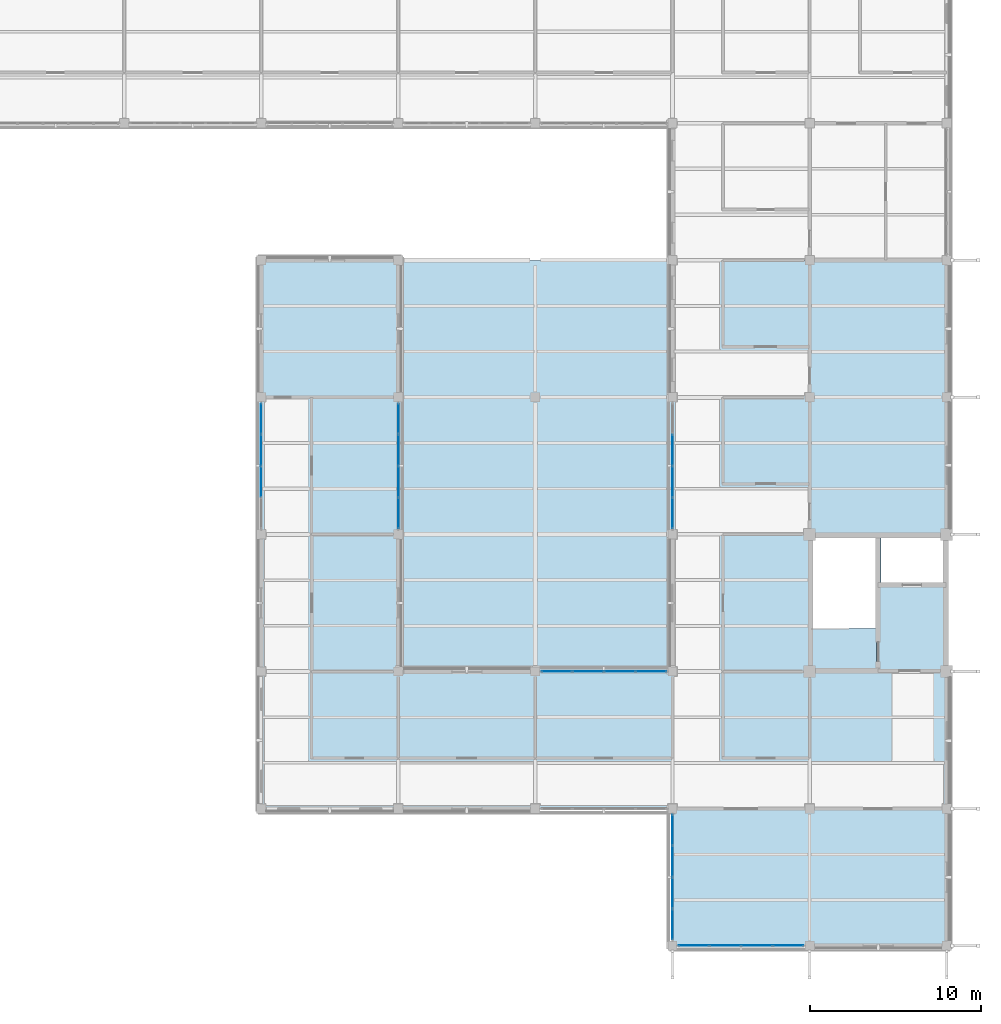
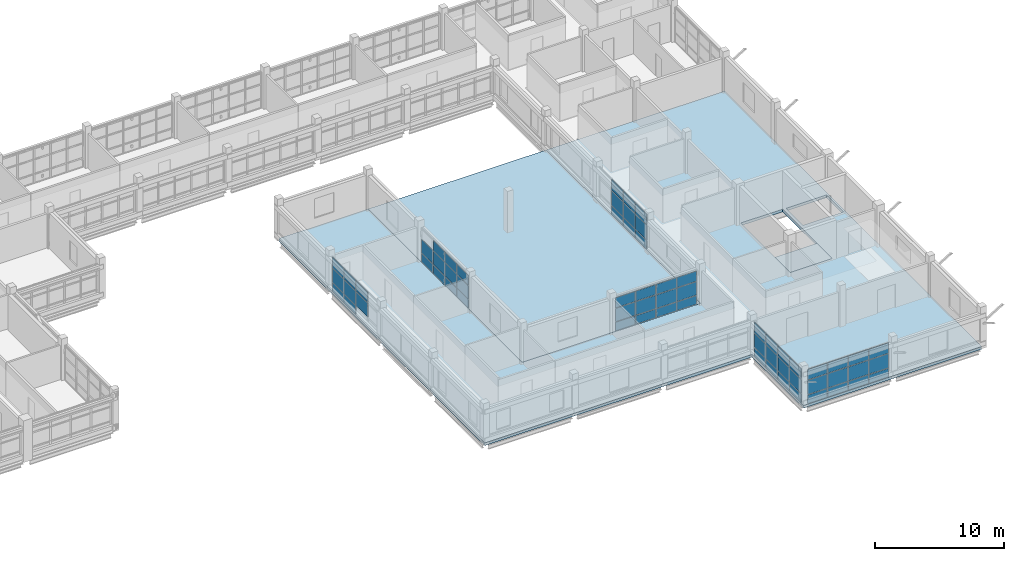
# One storey, part 65 of 107: 64 plates, 3 slabs, 6 elements without a shape of their own.
"""IFC4 building model written with IfcOpenShell, lengths in metres."""

from ifc_helpers import new_model, si_unit, derived_unit, direction, frame, origin, origin_2d, place, context, subcontext, project, spatial, polyline, rectangle, outline, extrude, material, layer, layer_set, type_object, element, aggregate, save


model = new_model("IFC4")

# Units and contexts
model_context = context("Model", 3, precision=1e-05, world=origin(), true_north=direction((0.0, 1.0)))
body_context = subcontext(model_context, "Body", "Model", "MODEL_VIEW")
ifc_project = project(units=[si_unit("LENGTHUNIT", "METRE"), si_unit("AREAUNIT", "SQUARE_METRE"), si_unit("VOLUMEUNIT", "CUBIC_METRE"), si_unit("PLANEANGLEUNIT", "RADIAN"), si_unit("MASSUNIT", "GRAM", prefix="KILO"), derived_unit("THERMALTRANSMITTANCEUNIT", [(si_unit("MASSUNIT", "GRAM", prefix="KILO"), 1), (si_unit("TIMEUNIT", "SECOND"), -3), (si_unit("THERMODYNAMICTEMPERATUREUNIT", "KELVIN"), -1)])], contexts=[model_context])

# Site, building, storey
site_placement = place(None, origin())
site = spatial("IfcSite", under=ifc_project, at=site_placement, CompositionType="ELEMENT")
building_placement = place(site_placement, origin())
building = spatial("IfcBuilding", under=site, at=building_placement, Name="Veyamyaing Civic Hall", CompositionType="ELEMENT")
storey_placement = place(building_placement, frame((0.0, 0.0, 13.860107421875)))
storey = spatial("IfcBuildingStorey", under=building, at=storey_placement, Name="L03", CompositionType="ELEMENT", Elevation=13.860107421875)

# Curtain wall, plates
ifc_material_1 = material(Name="Anodised aluminium 6063-T6", Category="aluminium")
ifc_layer_1 = layer(ifc_material_1, 0.159912109375, Name="Anodised aluminium 6063-T6")
ifc_layer_set_1 = layer_set([ifc_layer_1], Name="Anodised aluminium 6063-T6")
curtain_wall_type = type_object("IfcCurtainWallType", Name="CW-07", PredefinedType="NOTDEFINED", material=ifc_layer_set_1)
curtain_wall_1_placement = place(storey_placement, origin())
curtain_wall_1 = element("IfcCurtainWall", 1, at=curtain_wall_1_placement, inside=storey, type_object=curtain_wall_type, Name="Unitized curtain wall CW-07 L03 W 18.4", PredefinedType="NOTDEFINED")
ifc_material_2 = material(Name="Low-E insulated glass", Category="glass")
ifc_layer_2 = layer(ifc_material_2, 0.028076171875, Name="Low-E insulated glass")
ifc_layer_set_2 = layer_set([ifc_layer_2], Name="Low-E insulated glass")
plate_type_1 = type_object("IfcPlateType", Name="CWP-01", PredefinedType="CURTAIN_PANEL", material=ifc_layer_set_2)
plate_1_placement = place(storey_placement, frame((136.0, 27.076171875, 0.932373046875), z_axis=(0.0, 0.0, 1.0), x_axis=(0.0, 1.0, 0.0)))
plate_1 = element("IfcPlate", 2, at=plate_1_placement, type_object=plate_type_1, Name="CW-07 panel 2.2", PredefinedType="CURTAIN_PANEL", context=body_context, shape_type="SweptSolid", body=[
    extrude(rectangle(XDim=1.782470703125, YDim=0.028076171875, at=origin_2d()), origin(), (0.0, 0.0, 1.0), 1.3212890625),
])
plate_2_placement = place(storey_placement, frame((136.0, 27.076171875, 2.31884765625), z_axis=(0.0, 0.0, 1.0), x_axis=(0.0, 1.0, 0.0)))
plate_2 = element("IfcPlate", 3, at=plate_2_placement, type_object=plate_type_1, Name="CW-07 panel 2.3", PredefinedType="CURTAIN_PANEL", context=body_context, shape_type="SweptSolid", body=[
    extrude(rectangle(XDim=1.782470703125, YDim=0.028076171875, at=origin_2d()), origin(), (0.0, 0.0, 1.0), 0.978271484375),
])
plate_3_placement = place(storey_placement, frame((136.0, 28.923828125, 0.06494140625), z_axis=(0.0, 0.0, 1.0), x_axis=(0.0, 1.0, 0.0)))
plate_3 = element("IfcPlate", 4, at=plate_3_placement, type_object=plate_type_1, Name="CW-07 panel 3.1", PredefinedType="CURTAIN_PANEL", context=body_context, shape_type="SweptSolid", body=[
    extrude(rectangle(XDim=1.782470703125, YDim=0.028076171875, at=origin_2d()), origin(), (0.0, 0.0, 1.0), 0.802490234375),
])
plate_4_placement = place(storey_placement, frame((136.0, 28.923828125, 0.932373046875), z_axis=(0.0, 0.0, 1.0), x_axis=(0.0, 1.0, 0.0)))
plate_4 = element("IfcPlate", 5, at=plate_4_placement, type_object=plate_type_1, Name="CW-07 panel 3.2", PredefinedType="CURTAIN_PANEL", context=body_context, shape_type="SweptSolid", body=[
    extrude(rectangle(XDim=1.782470703125, YDim=0.028076171875, at=origin_2d()), origin(), (0.0, 0.0, 1.0), 1.3212890625),
])
plate_5_placement = place(storey_placement, frame((136.0, 28.923828125, 2.31884765625), z_axis=(0.0, 0.0, 1.0), x_axis=(0.0, 1.0, 0.0)))
plate_5 = element("IfcPlate", 6, at=plate_5_placement, type_object=plate_type_1, Name="CW-07 panel 3.3", PredefinedType="CURTAIN_PANEL", context=body_context, shape_type="SweptSolid", body=[
    extrude(rectangle(XDim=1.782470703125, YDim=0.028076171875, at=origin_2d()), origin(), (0.0, 0.0, 1.0), 0.978271484375),
])
plate_6_placement = place(storey_placement, frame((136.0, 30.7548828125, 0.06494140625), z_axis=(0.0, 0.0, 1.0), x_axis=(0.0, 1.0, 0.0)))
plate_6 = element("IfcPlate", 7, at=plate_6_placement, type_object=plate_type_1, Name="CW-07 panel 4.1", PredefinedType="CURTAIN_PANEL", context=body_context, shape_type="SweptSolid", body=[
    extrude(rectangle(XDim=1.75, YDim=0.028076171875, at=origin_2d()), origin(), (0.0, 0.0, 1.0), 0.802490234375),
])
plate_7_placement = place(storey_placement, frame((136.0, 30.7548828125, 0.932373046875), z_axis=(0.0, 0.0, 1.0), x_axis=(0.0, 1.0, 0.0)))
plate_7 = element("IfcPlate", 8, at=plate_7_placement, type_object=plate_type_1, Name="CW-07 panel 4.2", PredefinedType="CURTAIN_PANEL", context=body_context, shape_type="SweptSolid", body=[
    extrude(rectangle(XDim=1.75, YDim=0.028076171875, at=origin_2d()), origin(), (0.0, 0.0, 1.0), 1.3212890625),
])
plate_8_placement = place(storey_placement, frame((136.0, 30.7548828125, 2.31884765625), z_axis=(0.0, 0.0, 1.0), x_axis=(0.0, 1.0, 0.0)))
plate_8 = element("IfcPlate", 9, at=plate_8_placement, type_object=plate_type_1, Name="CW-07 panel 4.3", PredefinedType="CURTAIN_PANEL", context=body_context, shape_type="SweptSolid", body=[
    extrude(rectangle(XDim=1.75, YDim=0.028076171875, at=origin_2d()), origin(), (0.0, 0.0, 1.0), 0.978271484375),
])
aggregate(curtain_wall_1, [plate_1, plate_2, plate_3, plate_4, plate_5, plate_6, plate_7, plate_8])

curtain_wall_2_placement = place(storey_placement, origin())
curtain_wall_2 = element("IfcCurtainWall", 10, at=curtain_wall_2_placement, inside=storey, type_object=curtain_wall_type, Name="Unitized curtain wall CW-07 L03 E 18.4", PredefinedType="NOTDEFINED")
plate_9_placement = place(storey_placement, frame((144.0, 25.2451171875, 0.06494140625), z_axis=(0.0, 0.0, 1.0), x_axis=(0.0, 1.0, 0.0)))
plate_9 = element("IfcPlate", 11, at=plate_9_placement, type_object=plate_type_1, Name="CW-07 panel 1.1", PredefinedType="CURTAIN_PANEL", context=body_context, shape_type="SweptSolid", body=[
    extrude(rectangle(XDim=1.75, YDim=0.028076171875, at=origin_2d()), origin(), (0.0, 0.0, 1.0), 0.802490234375),
])
plate_10_placement = place(storey_placement, frame((144.0, 25.2451171875, 0.93212890625), z_axis=(0.0, 0.0, 1.0), x_axis=(0.0, 1.0, 0.0)))
plate_10 = element("IfcPlate", 12, at=plate_10_placement, type_object=plate_type_1, Name="CW-07 panel 1.2", PredefinedType="CURTAIN_PANEL", context=body_context, shape_type="SweptSolid", body=[
    extrude(rectangle(XDim=1.75, YDim=0.028076171875, at=origin_2d()), origin(), (0.0, 0.0, 1.0), 1.244384765625),
])
plate_11_placement = place(storey_placement, frame((144.0, 25.2451171875, 2.24169921875), z_axis=(0.0, 0.0, 1.0), x_axis=(0.0, 1.0, 0.0)))
plate_11 = element("IfcPlate", 13, at=plate_11_placement, type_object=plate_type_1, Name="CW-07 panel 1.3", PredefinedType="CURTAIN_PANEL", context=body_context, shape_type="SweptSolid", body=[
    extrude(rectangle(XDim=1.75, YDim=0.028076171875, at=origin_2d()), origin(), (0.0, 0.0, 1.0), 0.942138671875),
])
plate_12_placement = place(storey_placement, frame((144.0, 27.076171875, 0.06494140625), z_axis=(0.0, 0.0, 1.0), x_axis=(0.0, 1.0, 0.0)))
plate_12 = element("IfcPlate", 14, at=plate_12_placement, type_object=plate_type_1, Name="CW-07 panel 2.1", PredefinedType="CURTAIN_PANEL", context=body_context, shape_type="SweptSolid", body=[
    extrude(rectangle(XDim=1.782470703125, YDim=0.028076171875, at=origin_2d()), origin(), (0.0, 0.0, 1.0), 0.802490234375),
])
plate_13_placement = place(storey_placement, frame((144.0, 27.076171875, 0.93212890625), z_axis=(0.0, 0.0, 1.0), x_axis=(0.0, 1.0, 0.0)))
plate_13 = element("IfcPlate", 15, at=plate_13_placement, type_object=plate_type_1, Name="CW-07 panel 2.2", PredefinedType="CURTAIN_PANEL", context=body_context, shape_type="SweptSolid", body=[
    extrude(rectangle(XDim=1.782470703125, YDim=0.028076171875, at=origin_2d()), origin(), (0.0, 0.0, 1.0), 1.244384765625),
])
plate_14_placement = place(storey_placement, frame((144.0, 27.076171875, 2.24169921875), z_axis=(0.0, 0.0, 1.0), x_axis=(0.0, 1.0, 0.0)))
plate_14 = element("IfcPlate", 16, at=plate_14_placement, type_object=plate_type_1, Name="CW-07 panel 2.3", PredefinedType="CURTAIN_PANEL", context=body_context, shape_type="SweptSolid", body=[
    extrude(rectangle(XDim=1.782470703125, YDim=0.028076171875, at=origin_2d()), origin(), (0.0, 0.0, 1.0), 0.942138671875),
])
plate_15_placement = place(storey_placement, frame((144.0, 28.923828125, 0.06494140625), z_axis=(0.0, 0.0, 1.0), x_axis=(0.0, 1.0, 0.0)))
plate_15 = element("IfcPlate", 17, at=plate_15_placement, type_object=plate_type_1, Name="CW-07 panel 3.1", PredefinedType="CURTAIN_PANEL", context=body_context, shape_type="SweptSolid", body=[
    extrude(rectangle(XDim=1.782470703125, YDim=0.028076171875, at=origin_2d()), origin(), (0.0, 0.0, 1.0), 0.802490234375),
])
plate_16_placement = place(storey_placement, frame((144.0, 28.923828125, 0.93212890625), z_axis=(0.0, 0.0, 1.0), x_axis=(0.0, 1.0, 0.0)))
plate_16 = element("IfcPlate", 18, at=plate_16_placement, type_object=plate_type_1, Name="CW-07 panel 3.2", PredefinedType="CURTAIN_PANEL", context=body_context, shape_type="SweptSolid", body=[
    extrude(rectangle(XDim=1.782470703125, YDim=0.028076171875, at=origin_2d()), origin(), (0.0, 0.0, 1.0), 1.244384765625),
])
plate_17_placement = place(storey_placement, frame((144.0, 28.923828125, 2.24169921875), z_axis=(0.0, 0.0, 1.0), x_axis=(0.0, 1.0, 0.0)))
plate_17 = element("IfcPlate", 19, at=plate_17_placement, type_object=plate_type_1, Name="CW-07 panel 3.3", PredefinedType="CURTAIN_PANEL", context=body_context, shape_type="SweptSolid", body=[
    extrude(rectangle(XDim=1.782470703125, YDim=0.028076171875, at=origin_2d()), origin(), (0.0, 0.0, 1.0), 0.942138671875),
])
plate_18_placement = place(storey_placement, frame((144.0, 30.7548828125, 0.06494140625), z_axis=(0.0, 0.0, 1.0), x_axis=(0.0, 1.0, 0.0)))
plate_18 = element("IfcPlate", 20, at=plate_18_placement, type_object=plate_type_1, Name="CW-07 panel 4.1", PredefinedType="CURTAIN_PANEL", context=body_context, shape_type="SweptSolid", body=[
    extrude(rectangle(XDim=1.75, YDim=0.028076171875, at=origin_2d()), origin(), (0.0, 0.0, 1.0), 0.802490234375),
])
plate_19_placement = place(storey_placement, frame((144.0, 30.7548828125, 0.93212890625), z_axis=(0.0, 0.0, 1.0), x_axis=(0.0, 1.0, 0.0)))
plate_19 = element("IfcPlate", 21, at=plate_19_placement, type_object=plate_type_1, Name="CW-07 panel 4.2", PredefinedType="CURTAIN_PANEL", context=body_context, shape_type="SweptSolid", body=[
    extrude(rectangle(XDim=1.75, YDim=0.028076171875, at=origin_2d()), origin(), (0.0, 0.0, 1.0), 1.244384765625),
])
aggregate(curtain_wall_2, [plate_9, plate_10, plate_11, plate_12, plate_13, plate_14, plate_15, plate_16, plate_17, plate_18, plate_19])

curtain_wall_3_placement = place(storey_placement, origin())
curtain_wall_3 = element("IfcCurtainWall", 22, at=curtain_wall_3_placement, inside=storey, type_object=curtain_wall_type, Name="Unitized curtain wall CW-07 L03 N 20.2", PredefinedType="NOTDEFINED")
plate_20_placement = place(storey_placement, frame((153.2451171875, 16.0, 0.06494140625), z_axis=(0.0, 0.0, 1.0), x_axis=(1.0, 0.0, 0.0)))
plate_20 = element("IfcPlate", 23, at=plate_20_placement, type_object=plate_type_1, Name="CW-07 panel 1.1", PredefinedType="CURTAIN_PANEL", context=body_context, shape_type="SweptSolid", body=[
    extrude(rectangle(XDim=1.75, YDim=0.028076171875, at=origin_2d()), origin(), (0.0, 0.0, 1.0), 0.802490234375),
])
plate_21_placement = place(storey_placement, frame((153.2451171875, 16.0, 0.9326171875), z_axis=(0.0, 0.0, 1.0), x_axis=(1.0, 0.0, 0.0)))
plate_21 = element("IfcPlate", 24, at=plate_21_placement, type_object=plate_type_1, Name="CW-07 panel 1.2", PredefinedType="CURTAIN_PANEL", context=body_context, shape_type="SweptSolid", body=[
    extrude(rectangle(XDim=1.75, YDim=0.028076171875, at=origin_2d()), origin(), (0.0, 0.0, 1.0), 1.251708984375),
])
plate_22_placement = place(storey_placement, frame((153.2451171875, 16.0, 2.2490234375), z_axis=(0.0, 0.0, 1.0), x_axis=(1.0, 0.0, 0.0)))
plate_22 = element("IfcPlate", 25, at=plate_22_placement, type_object=plate_type_1, Name="CW-07 panel 1.3", PredefinedType="CURTAIN_PANEL", context=body_context, shape_type="SweptSolid", body=[
    extrude(rectangle(XDim=1.75, YDim=0.028076171875, at=origin_2d()), origin(), (0.0, 0.0, 1.0), 0.94580078125),
])
plate_23_placement = place(storey_placement, frame((155.076171875, 16.0, 0.06494140625), z_axis=(0.0, 0.0, 1.0), x_axis=(1.0, 0.0, 0.0)))
plate_23 = element("IfcPlate", 26, at=plate_23_placement, type_object=plate_type_1, Name="CW-07 panel 2.1", PredefinedType="CURTAIN_PANEL", context=body_context, shape_type="SweptSolid", body=[
    extrude(rectangle(XDim=1.782470703125, YDim=0.028076171875, at=origin_2d()), origin(), (0.0, 0.0, 1.0), 0.802490234375),
])
plate_24_placement = place(storey_placement, frame((155.076171875, 16.0, 0.9326171875), z_axis=(0.0, 0.0, 1.0), x_axis=(1.0, 0.0, 0.0)))
plate_24 = element("IfcPlate", 27, at=plate_24_placement, type_object=plate_type_1, Name="CW-07 panel 2.2", PredefinedType="CURTAIN_PANEL", context=body_context, shape_type="SweptSolid", body=[
    extrude(rectangle(XDim=1.782470703125, YDim=0.028076171875, at=origin_2d()), origin(), (0.0, 0.0, 1.0), 1.251708984375),
])
plate_25_placement = place(storey_placement, frame((155.076171875, 16.0, 2.2490234375), z_axis=(0.0, 0.0, 1.0), x_axis=(1.0, 0.0, 0.0)))
plate_25 = element("IfcPlate", 28, at=plate_25_placement, type_object=plate_type_1, Name="CW-07 panel 2.3", PredefinedType="CURTAIN_PANEL", context=body_context, shape_type="SweptSolid", body=[
    extrude(rectangle(XDim=1.782470703125, YDim=0.028076171875, at=origin_2d()), origin(), (0.0, 0.0, 1.0), 0.94580078125),
])
plate_26_placement = place(storey_placement, frame((156.923828125, 16.0, 0.06494140625), z_axis=(0.0, 0.0, 1.0), x_axis=(1.0, 0.0, 0.0)))
plate_26 = element("IfcPlate", 29, at=plate_26_placement, type_object=plate_type_1, Name="CW-07 panel 3.1", PredefinedType="CURTAIN_PANEL", context=body_context, shape_type="SweptSolid", body=[
    extrude(rectangle(XDim=1.782470703125, YDim=0.028076171875, at=origin_2d()), origin(), (0.0, 0.0, 1.0), 0.802490234375),
])
plate_27_placement = place(storey_placement, frame((156.923828125, 16.0, 0.9326171875), z_axis=(0.0, 0.0, 1.0), x_axis=(1.0, 0.0, 0.0)))
plate_27 = element("IfcPlate", 30, at=plate_27_placement, type_object=plate_type_1, Name="CW-07 panel 3.2", PredefinedType="CURTAIN_PANEL", context=body_context, shape_type="SweptSolid", body=[
    extrude(rectangle(XDim=1.782470703125, YDim=0.028076171875, at=origin_2d()), origin(), (0.0, 0.0, 1.0), 1.251708984375),
])
plate_28_placement = place(storey_placement, frame((156.923828125, 16.0, 2.2490234375), z_axis=(0.0, 0.0, 1.0), x_axis=(1.0, 0.0, 0.0)))
plate_28 = element("IfcPlate", 31, at=plate_28_placement, type_object=plate_type_1, Name="CW-07 panel 3.3", PredefinedType="CURTAIN_PANEL", context=body_context, shape_type="SweptSolid", body=[
    extrude(rectangle(XDim=1.782470703125, YDim=0.028076171875, at=origin_2d()), origin(), (0.0, 0.0, 1.0), 0.94580078125),
])
plate_29_placement = place(storey_placement, frame((158.7548828125, 16.0, 0.06494140625), z_axis=(0.0, 0.0, 1.0), x_axis=(1.0, 0.0, 0.0)))
plate_29 = element("IfcPlate", 32, at=plate_29_placement, type_object=plate_type_1, Name="CW-07 panel 4.1", PredefinedType="CURTAIN_PANEL", context=body_context, shape_type="SweptSolid", body=[
    extrude(rectangle(XDim=1.75, YDim=0.028076171875, at=origin_2d()), origin(), (0.0, 0.0, 1.0), 0.802490234375),
])
plate_30_placement = place(storey_placement, frame((158.7548828125, 16.0, 0.9326171875), z_axis=(0.0, 0.0, 1.0), x_axis=(1.0, 0.0, 0.0)))
plate_30 = element("IfcPlate", 33, at=plate_30_placement, type_object=plate_type_1, Name="CW-07 panel 4.2", PredefinedType="CURTAIN_PANEL", context=body_context, shape_type="SweptSolid", body=[
    extrude(rectangle(XDim=1.75, YDim=0.028076171875, at=origin_2d()), origin(), (0.0, 0.0, 1.0), 1.251708984375),
])
plate_31_placement = place(storey_placement, frame((158.7548828125, 16.0, 2.2490234375), z_axis=(0.0, 0.0, 1.0), x_axis=(1.0, 0.0, 0.0)))
plate_31 = element("IfcPlate", 34, at=plate_31_placement, type_object=plate_type_1, Name="CW-07 panel 4.3", PredefinedType="CURTAIN_PANEL", context=body_context, shape_type="SweptSolid", body=[
    extrude(rectangle(XDim=1.75, YDim=0.028076171875, at=origin_2d()), origin(), (0.0, 0.0, 1.0), 0.94580078125),
])
aggregate(curtain_wall_3, [plate_20, plate_21, plate_22, plate_23, plate_24, plate_25, plate_26, plate_27, plate_28, plate_29, plate_30, plate_31])

curtain_wall_4_placement = place(storey_placement, origin())
curtain_wall_4 = element("IfcCurtainWall", 35, at=curtain_wall_4_placement, inside=storey, type_object=curtain_wall_type, Name="Unitized curtain wall CW-07 L03 S 21.1", PredefinedType="NOTDEFINED")
plate_32_placement = place(storey_placement, frame((161.2451171875, 0.0, 0.06494140625), z_axis=(0.0, 0.0, 1.0), x_axis=(1.0, 0.0, 0.0)))
plate_32 = element("IfcPlate", 36, at=plate_32_placement, type_object=plate_type_1, Name="CW-07 panel 1.1", PredefinedType="CURTAIN_PANEL", context=body_context, shape_type="SweptSolid", body=[
    extrude(rectangle(XDim=1.75, YDim=0.028076171875, at=origin_2d()), origin(), (0.0, 0.0, 1.0), 0.802490234375),
])
plate_33_placement = place(storey_placement, frame((161.2451171875, 0.0, 0.932373046875), z_axis=(0.0, 0.0, 1.0), x_axis=(1.0, 0.0, 0.0)))
plate_33 = element("IfcPlate", 37, at=plate_33_placement, type_object=plate_type_1, Name="CW-07 panel 1.2", PredefinedType="CURTAIN_PANEL", context=body_context, shape_type="SweptSolid", body=[
    extrude(rectangle(XDim=1.75, YDim=0.028076171875, at=origin_2d()), origin(), (0.0, 0.0, 1.0), 1.3212890625),
])
plate_34_placement = place(storey_placement, frame((161.2451171875, 0.0, 2.31884765625), z_axis=(0.0, 0.0, 1.0), x_axis=(1.0, 0.0, 0.0)))
plate_34 = element("IfcPlate", 38, at=plate_34_placement, type_object=plate_type_1, Name="CW-07 panel 1.3", PredefinedType="CURTAIN_PANEL", context=body_context, shape_type="SweptSolid", body=[
    extrude(rectangle(XDim=1.75, YDim=0.028076171875, at=origin_2d()), origin(), (0.0, 0.0, 1.0), 0.978271484375),
])
plate_35_placement = place(storey_placement, frame((163.076171875, 0.0, 0.06494140625), z_axis=(0.0, 0.0, 1.0), x_axis=(1.0, 0.0, 0.0)))
plate_35 = element("IfcPlate", 39, at=plate_35_placement, type_object=plate_type_1, Name="CW-07 panel 2.1", PredefinedType="CURTAIN_PANEL", context=body_context, shape_type="SweptSolid", body=[
    extrude(rectangle(XDim=1.782470703125, YDim=0.028076171875, at=origin_2d()), origin(), (0.0, 0.0, 1.0), 0.802490234375),
])
plate_36_placement = place(storey_placement, frame((163.076171875, 0.0, 0.932373046875), z_axis=(0.0, 0.0, 1.0), x_axis=(1.0, 0.0, 0.0)))
plate_36 = element("IfcPlate", 40, at=plate_36_placement, type_object=plate_type_1, Name="CW-07 panel 2.2", PredefinedType="CURTAIN_PANEL", context=body_context, shape_type="SweptSolid", body=[
    extrude(rectangle(XDim=1.782470703125, YDim=0.028076171875, at=origin_2d()), origin(), (0.0, 0.0, 1.0), 1.3212890625),
])
plate_37_placement = place(storey_placement, frame((163.076171875, 0.0, 2.31884765625), z_axis=(0.0, 0.0, 1.0), x_axis=(1.0, 0.0, 0.0)))
plate_37 = element("IfcPlate", 41, at=plate_37_placement, type_object=plate_type_1, Name="CW-07 panel 2.3", PredefinedType="CURTAIN_PANEL", context=body_context, shape_type="SweptSolid", body=[
    extrude(rectangle(XDim=1.782470703125, YDim=0.028076171875, at=origin_2d()), origin(), (0.0, 0.0, 1.0), 0.978271484375),
])
plate_38_placement = place(storey_placement, frame((164.923828125, 0.0, 0.06494140625), z_axis=(0.0, 0.0, 1.0), x_axis=(1.0, 0.0, 0.0)))
plate_38 = element("IfcPlate", 42, at=plate_38_placement, type_object=plate_type_1, Name="CW-07 panel 3.1", PredefinedType="CURTAIN_PANEL", context=body_context, shape_type="SweptSolid", body=[
    extrude(rectangle(XDim=1.782470703125, YDim=0.028076171875, at=origin_2d()), origin(), (0.0, 0.0, 1.0), 0.802490234375),
])
plate_39_placement = place(storey_placement, frame((164.923828125, 0.0, 0.932373046875), z_axis=(0.0, 0.0, 1.0), x_axis=(1.0, 0.0, 0.0)))
plate_39 = element("IfcPlate", 43, at=plate_39_placement, type_object=plate_type_1, Name="CW-07 panel 3.2", PredefinedType="CURTAIN_PANEL", context=body_context, shape_type="SweptSolid", body=[
    extrude(rectangle(XDim=1.782470703125, YDim=0.028076171875, at=origin_2d()), origin(), (0.0, 0.0, 1.0), 1.3212890625),
])
plate_40_placement = place(storey_placement, frame((164.923828125, 0.0, 2.31884765625), z_axis=(0.0, 0.0, 1.0), x_axis=(1.0, 0.0, 0.0)))
plate_40 = element("IfcPlate", 44, at=plate_40_placement, type_object=plate_type_1, Name="CW-07 panel 3.3", PredefinedType="CURTAIN_PANEL", context=body_context, shape_type="SweptSolid", body=[
    extrude(rectangle(XDim=1.782470703125, YDim=0.028076171875, at=origin_2d()), origin(), (0.0, 0.0, 1.0), 0.978271484375),
])
plate_41_placement = place(storey_placement, frame((166.7548828125, 0.0, 0.06494140625), z_axis=(0.0, 0.0, 1.0), x_axis=(1.0, 0.0, 0.0)))
plate_41 = element("IfcPlate", 45, at=plate_41_placement, type_object=plate_type_1, Name="CW-07 panel 4.1", PredefinedType="CURTAIN_PANEL", context=body_context, shape_type="SweptSolid", body=[
    extrude(rectangle(XDim=1.75, YDim=0.028076171875, at=origin_2d()), origin(), (0.0, 0.0, 1.0), 0.802490234375),
])
plate_42_placement = place(storey_placement, frame((166.7548828125, 0.0, 0.932373046875), z_axis=(0.0, 0.0, 1.0), x_axis=(1.0, 0.0, 0.0)))
plate_42 = element("IfcPlate", 46, at=plate_42_placement, type_object=plate_type_1, Name="CW-07 panel 4.2", PredefinedType="CURTAIN_PANEL", context=body_context, shape_type="SweptSolid", body=[
    extrude(rectangle(XDim=1.75, YDim=0.028076171875, at=origin_2d()), origin(), (0.0, 0.0, 1.0), 1.3212890625),
])
plate_43_placement = place(storey_placement, frame((166.7548828125, 0.0, 2.31884765625), z_axis=(0.0, 0.0, 1.0), x_axis=(1.0, 0.0, 0.0)))
plate_43 = element("IfcPlate", 47, at=plate_43_placement, type_object=plate_type_1, Name="CW-07 panel 4.3", PredefinedType="CURTAIN_PANEL", context=body_context, shape_type="SweptSolid", body=[
    extrude(rectangle(XDim=1.75, YDim=0.028076171875, at=origin_2d()), origin(), (0.0, 0.0, 1.0), 0.978271484375),
])
aggregate(curtain_wall_4, [plate_32, plate_33, plate_34, plate_35, plate_36, plate_37, plate_38, plate_39, plate_40, plate_41, plate_42, plate_43])

curtain_wall_5_placement = place(storey_placement, origin())
curtain_wall_5 = element("IfcCurtainWall", 48, at=curtain_wall_5_placement, inside=storey, type_object=curtain_wall_type, Name="Unitized curtain wall CW-07 L03 W 21.1", PredefinedType="NOTDEFINED")
plate_44_placement = place(storey_placement, frame((160.0, 1.2451171875, 0.06494140625), z_axis=(0.0, 0.0, 1.0), x_axis=(0.0, 1.0, 0.0)))
plate_44 = element("IfcPlate", 49, at=plate_44_placement, type_object=plate_type_1, Name="CW-07 panel 1.1", PredefinedType="CURTAIN_PANEL", context=body_context, shape_type="SweptSolid", body=[
    extrude(rectangle(XDim=1.75, YDim=0.028076171875, at=origin_2d()), origin(), (0.0, 0.0, 1.0), 0.802490234375),
])
plate_45_placement = place(storey_placement, frame((160.0, 1.2451171875, 0.932373046875), z_axis=(0.0, 0.0, 1.0), x_axis=(0.0, 1.0, 0.0)))
plate_45 = element("IfcPlate", 50, at=plate_45_placement, type_object=plate_type_1, Name="CW-07 panel 1.2", PredefinedType="CURTAIN_PANEL", context=body_context, shape_type="SweptSolid", body=[
    extrude(rectangle(XDim=1.75, YDim=0.028076171875, at=origin_2d()), origin(), (0.0, 0.0, 1.0), 1.3212890625),
])
plate_46_placement = place(storey_placement, frame((160.0, 1.2451171875, 2.31884765625), z_axis=(0.0, 0.0, 1.0), x_axis=(0.0, 1.0, 0.0)))
plate_46 = element("IfcPlate", 51, at=plate_46_placement, type_object=plate_type_1, Name="CW-07 panel 1.3", PredefinedType="CURTAIN_PANEL", context=body_context, shape_type="SweptSolid", body=[
    extrude(rectangle(XDim=1.75, YDim=0.028076171875, at=origin_2d()), origin(), (0.0, 0.0, 1.0), 0.978271484375),
])
plate_47_placement = place(storey_placement, frame((160.0, 3.076171875, 0.06494140625), z_axis=(0.0, 0.0, 1.0), x_axis=(0.0, 1.0, 0.0)))
plate_47 = element("IfcPlate", 52, at=plate_47_placement, type_object=plate_type_1, Name="CW-07 panel 2.1", PredefinedType="CURTAIN_PANEL", context=body_context, shape_type="SweptSolid", body=[
    extrude(rectangle(XDim=1.782470703125, YDim=0.028076171875, at=origin_2d()), origin(), (0.0, 0.0, 1.0), 0.802490234375),
])
plate_48_placement = place(storey_placement, frame((160.0, 3.076171875, 0.932373046875), z_axis=(0.0, 0.0, 1.0), x_axis=(0.0, 1.0, 0.0)))
plate_48 = element("IfcPlate", 53, at=plate_48_placement, type_object=plate_type_1, Name="CW-07 panel 2.2", PredefinedType="CURTAIN_PANEL", context=body_context, shape_type="SweptSolid", body=[
    extrude(rectangle(XDim=1.782470703125, YDim=0.028076171875, at=origin_2d()), origin(), (0.0, 0.0, 1.0), 1.3212890625),
])
plate_49_placement = place(storey_placement, frame((160.0, 3.076171875, 2.31884765625), z_axis=(0.0, 0.0, 1.0), x_axis=(0.0, 1.0, 0.0)))
plate_49 = element("IfcPlate", 54, at=plate_49_placement, type_object=plate_type_1, Name="CW-07 panel 2.3", PredefinedType="CURTAIN_PANEL", context=body_context, shape_type="SweptSolid", body=[
    extrude(rectangle(XDim=1.782470703125, YDim=0.028076171875, at=origin_2d()), origin(), (0.0, 0.0, 1.0), 0.978271484375),
])
plate_50_placement = place(storey_placement, frame((160.0, 4.923828125, 0.06494140625), z_axis=(0.0, 0.0, 1.0), x_axis=(0.0, 1.0, 0.0)))
plate_50 = element("IfcPlate", 55, at=plate_50_placement, type_object=plate_type_1, Name="CW-07 panel 3.1", PredefinedType="CURTAIN_PANEL", context=body_context, shape_type="SweptSolid", body=[
    extrude(rectangle(XDim=1.782470703125, YDim=0.028076171875, at=origin_2d()), origin(), (0.0, 0.0, 1.0), 0.802490234375),
])
plate_51_placement = place(storey_placement, frame((160.0, 4.923828125, 0.932373046875), z_axis=(0.0, 0.0, 1.0), x_axis=(0.0, 1.0, 0.0)))
plate_51 = element("IfcPlate", 56, at=plate_51_placement, type_object=plate_type_1, Name="CW-07 panel 3.2", PredefinedType="CURTAIN_PANEL", context=body_context, shape_type="SweptSolid", body=[
    extrude(rectangle(XDim=1.782470703125, YDim=0.028076171875, at=origin_2d()), origin(), (0.0, 0.0, 1.0), 1.3212890625),
])
plate_52_placement = place(storey_placement, frame((160.0, 4.923828125, 2.31884765625), z_axis=(0.0, 0.0, 1.0), x_axis=(0.0, 1.0, 0.0)))
plate_52 = element("IfcPlate", 57, at=plate_52_placement, type_object=plate_type_1, Name="CW-07 panel 3.3", PredefinedType="CURTAIN_PANEL", context=body_context, shape_type="SweptSolid", body=[
    extrude(rectangle(XDim=1.782470703125, YDim=0.028076171875, at=origin_2d()), origin(), (0.0, 0.0, 1.0), 0.978271484375),
])
plate_53_placement = place(storey_placement, frame((160.0, 6.7548828125, 0.06494140625), z_axis=(0.0, 0.0, 1.0), x_axis=(0.0, 1.0, 0.0)))
plate_53 = element("IfcPlate", 58, at=plate_53_placement, type_object=plate_type_1, Name="CW-07 panel 4.1", PredefinedType="CURTAIN_PANEL", context=body_context, shape_type="SweptSolid", body=[
    extrude(rectangle(XDim=1.75, YDim=0.028076171875, at=origin_2d()), origin(), (0.0, 0.0, 1.0), 0.802490234375),
])
plate_54_placement = place(storey_placement, frame((160.0, 6.7548828125, 0.932373046875), z_axis=(0.0, 0.0, 1.0), x_axis=(0.0, 1.0, 0.0)))
plate_54 = element("IfcPlate", 59, at=plate_54_placement, type_object=plate_type_1, Name="CW-07 panel 4.2", PredefinedType="CURTAIN_PANEL", context=body_context, shape_type="SweptSolid", body=[
    extrude(rectangle(XDim=1.75, YDim=0.028076171875, at=origin_2d()), origin(), (0.0, 0.0, 1.0), 1.3212890625),
])
plate_55_placement = place(storey_placement, frame((160.0, 6.7548828125, 2.31884765625), z_axis=(0.0, 0.0, 1.0), x_axis=(0.0, 1.0, 0.0)))
plate_55 = element("IfcPlate", 60, at=plate_55_placement, type_object=plate_type_1, Name="CW-07 panel 4.3", PredefinedType="CURTAIN_PANEL", context=body_context, shape_type="SweptSolid", body=[
    extrude(rectangle(XDim=1.75, YDim=0.028076171875, at=origin_2d()), origin(), (0.0, 0.0, 1.0), 0.978271484375),
])
aggregate(curtain_wall_5, [plate_44, plate_45, plate_46, plate_47, plate_48, plate_49, plate_50, plate_51, plate_52, plate_53, plate_54, plate_55])

curtain_wall_6_placement = place(storey_placement, origin())
curtain_wall_6 = element("IfcCurtainWall", 61, at=curtain_wall_6_placement, inside=storey, type_object=curtain_wall_type, Name="Unitized curtain wall CW-07 L03 W 21.4", PredefinedType="NOTDEFINED")
ifc_layer_3 = layer(ifc_material_2, 0.02392578125, Name="Low-E insulated glass")
ifc_layer_set_3 = layer_set([ifc_layer_3], Name="Low-E insulated glass")
plate_type_2 = type_object("IfcPlateType", Name="CWP-04", PredefinedType="CURTAIN_PANEL", material=ifc_layer_set_3)
plate_56_placement = place(storey_placement, frame((160.0, 25.2451171875, 0.06494140625), z_axis=(0.0, 0.0, 1.0), x_axis=(0.0, 1.0, 0.0)))
plate_56 = element("IfcPlate", 62, at=plate_56_placement, type_object=plate_type_2, Name="CW-07 panel 1.1", PredefinedType="CURTAIN_PANEL", context=body_context, shape_type="SweptSolid", body=[
    extrude(rectangle(XDim=1.75, YDim=0.02392578125, at=origin_2d()), origin(), (0.0, 0.0, 1.0), 0.802490234375),
])
plate_57_placement = place(storey_placement, frame((160.0, 25.2451171875, 0.932373046875), z_axis=(0.0, 0.0, 1.0), x_axis=(0.0, 1.0, 0.0)))
plate_57 = element("IfcPlate", 63, at=plate_57_placement, type_object=plate_type_2, Name="CW-07 panel 1.2", PredefinedType="CURTAIN_PANEL", context=body_context, shape_type="SweptSolid", body=[
    extrude(rectangle(XDim=1.75, YDim=0.02392578125, at=origin_2d()), origin(), (0.0, 0.0, 1.0), 1.3837890625),
])
plate_58_placement = place(storey_placement, frame((160.0, 25.2451171875, 2.381103515625), z_axis=(0.0, 0.0, 1.0), x_axis=(0.0, 1.0, 0.0)))
plate_58 = element("IfcPlate", 64, at=plate_58_placement, type_object=plate_type_2, Name="CW-07 panel 1.3", PredefinedType="CURTAIN_PANEL", context=body_context, shape_type="SweptSolid", body=[
    extrude(rectangle(XDim=1.75, YDim=0.02392578125, at=origin_2d()), origin(), (0.0, 0.0, 1.0), 1.0078125),
])
plate_59_placement = place(storey_placement, frame((160.0, 27.076171875, 0.06494140625), z_axis=(0.0, 0.0, 1.0), x_axis=(0.0, 1.0, 0.0)))
plate_59 = element("IfcPlate", 65, at=plate_59_placement, type_object=plate_type_2, Name="CW-07 panel 2.1", PredefinedType="CURTAIN_PANEL", context=body_context, shape_type="SweptSolid", body=[
    extrude(rectangle(XDim=1.782470703125, YDim=0.02392578125, at=origin_2d()), origin(), (0.0, 0.0, 1.0), 0.802490234375),
])
plate_60_placement = place(storey_placement, frame((160.0, 27.076171875, 0.932373046875), z_axis=(0.0, 0.0, 1.0), x_axis=(0.0, 1.0, 0.0)))
plate_60 = element("IfcPlate", 66, at=plate_60_placement, type_object=plate_type_2, Name="CW-07 panel 2.2", PredefinedType="CURTAIN_PANEL", context=body_context, shape_type="SweptSolid", body=[
    extrude(rectangle(XDim=1.782470703125, YDim=0.02392578125, at=origin_2d()), origin(), (0.0, 0.0, 1.0), 1.3837890625),
])
plate_61_placement = place(storey_placement, frame((160.0, 27.076171875, 2.381103515625), z_axis=(0.0, 0.0, 1.0), x_axis=(0.0, 1.0, 0.0)))
plate_61 = element("IfcPlate", 67, at=plate_61_placement, type_object=plate_type_2, Name="CW-07 panel 2.3", PredefinedType="CURTAIN_PANEL", context=body_context, shape_type="SweptSolid", body=[
    extrude(rectangle(XDim=1.782470703125, YDim=0.02392578125, at=origin_2d()), origin(), (0.0, 0.0, 1.0), 1.0078125),
])
plate_62_placement = place(storey_placement, frame((160.0, 28.923828125, 0.06494140625), z_axis=(0.0, 0.0, 1.0), x_axis=(0.0, 1.0, 0.0)))
plate_62 = element("IfcPlate", 68, at=plate_62_placement, type_object=plate_type_2, Name="CW-07 panel 3.1", PredefinedType="CURTAIN_PANEL", context=body_context, shape_type="SweptSolid", body=[
    extrude(rectangle(XDim=1.782470703125, YDim=0.02392578125, at=origin_2d()), origin(), (0.0, 0.0, 1.0), 0.802490234375),
])
plate_63_placement = place(storey_placement, frame((160.0, 28.923828125, 0.932373046875), z_axis=(0.0, 0.0, 1.0), x_axis=(0.0, 1.0, 0.0)))
plate_63 = element("IfcPlate", 69, at=plate_63_placement, type_object=plate_type_2, Name="CW-07 panel 3.2", PredefinedType="CURTAIN_PANEL", context=body_context, shape_type="SweptSolid", body=[
    extrude(rectangle(XDim=1.782470703125, YDim=0.02392578125, at=origin_2d()), origin(), (0.0, 0.0, 1.0), 1.3837890625),
])
plate_64_placement = place(storey_placement, frame((160.0, 28.923828125, 2.381103515625), z_axis=(0.0, 0.0, 1.0), x_axis=(0.0, 1.0, 0.0)))
plate_64 = element("IfcPlate", 70, at=plate_64_placement, type_object=plate_type_2, Name="CW-07 panel 3.3", PredefinedType="CURTAIN_PANEL", context=body_context, shape_type="SweptSolid", body=[
    extrude(rectangle(XDim=1.782470703125, YDim=0.02392578125, at=origin_2d()), origin(), (0.0, 0.0, 1.0), 1.0078125),
])
aggregate(curtain_wall_6, [plate_56, plate_57, plate_58, plate_59, plate_60, plate_61, plate_62, plate_63, plate_64])

# Slabs
ifc_material_3 = material(Name="Concrete C40/50", Category="concrete")
ifc_layer_4 = layer(ifc_material_3, 0.2548828125, Name="Concrete C40/50")
ifc_layer_set_4 = layer_set([ifc_layer_4], Name="Concrete C40/50")
slab_type_1 = type_object("IfcSlabType", Name="SL-05", PredefinedType="FLOOR", material=ifc_layer_set_4)
slab_1_placement = place(storey_placement, frame((0.0, 0.0, -0.255126953125)))
element("IfcSlab", 71, at=slab_1_placement, inside=storey, type_object=slab_type_1, Name="Floor slab SL-05 L03 V3.1", PredefinedType="FLOOR", context=body_context, shape_type="SweptSolid", body=[
    extrude(outline(polyline([(160.0, 8.0), (136.0, 8.0), (136.0, 40.0), (144.0, 40.0), (144.0, 16.0), (160.0, 16.0), (160.0, 40.0), (176.0, 40.0), (176.0, 0.0), (160.0, 0.0), (160.0, 8.0)]), holes=[polyline([(168.139892578125, 23.860107421875), (168.139892578125, 16.139892578125), (171.909912109375, 16.139892578125), (171.909912109375, 23.860107421875), (168.139892578125, 23.860107421875)]), polyline([(175.820068359375, 23.820068359375), (172.179931640625, 23.820068359375), (172.179931640625, 21.179931640625), (175.820068359375, 21.179931640625), (175.820068359375, 23.820068359375)])]), origin(), (0.0, 0.0, 1.0), 0.255126953125),
])
ifc_layer_5 = layer(ifc_material_3, 0.239990234375, Name="Concrete C40/50")
ifc_layer_set_5 = layer_set([ifc_layer_5], Name="Concrete C40/50")
slab_type_2 = type_object("IfcSlabType", Name="SL-15", PredefinedType="ROOF", material=ifc_layer_set_5)
slab_2_placement = place(storey_placement, frame((0.0, 0.0, -0.239990234375)))
element("IfcSlab", 72, at=slab_2_placement, inside=storey, type_object=slab_type_2, Name="Roof slab SL-15 L03 V3.1", PredefinedType="ROOF", context=body_context, shape_type="SweptSolid", body=[
    extrude(outline(polyline([(144.0, 16.0), (144.0, 40.0), (160.0, 40.0), (160.0, 16.0), (144.0, 16.0)])), origin(), (0.0, 0.0, 1.0), 0.239990234375),
])
ifc_layer_6 = layer(ifc_material_3, 0.199951171875, Name="Concrete C40/50")
ifc_layer_set_6 = layer_set([ifc_layer_6], Name="Concrete C40/50")
slab_type_3 = type_object("IfcSlabType", Name="SL-16", PredefinedType="FLOOR", material=ifc_layer_set_6)
slab_3_placement = place(storey_placement, frame((0.0, 0.0, -0.2001953125)))
element("IfcSlab", 73, at=slab_3_placement, inside=storey, type_object=slab_type_3, Name="Stair floor landing slab SL-16 ST-10 L03", PredefinedType="FLOOR", context=body_context, shape_type="SweptSolid", body=[
    extrude(outline(polyline([(168.139892578125, 16.139892578125), (171.909912109375, 16.139892578125), (171.909912109375, 18.52001953125), (168.139892578125, 18.52001953125), (168.139892578125, 16.139892578125)])), origin(), (0.0, 0.0, 1.0), 0.2001953125),
])

save(model, "model.ifc")
